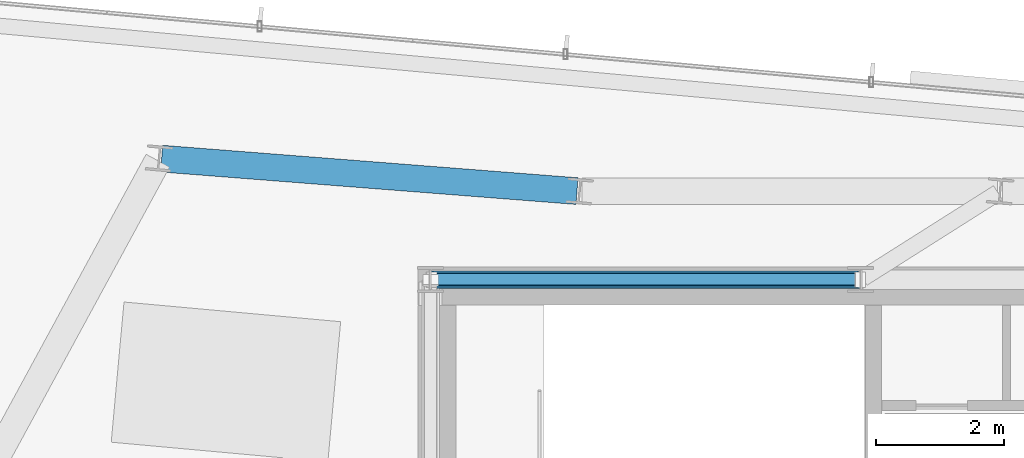
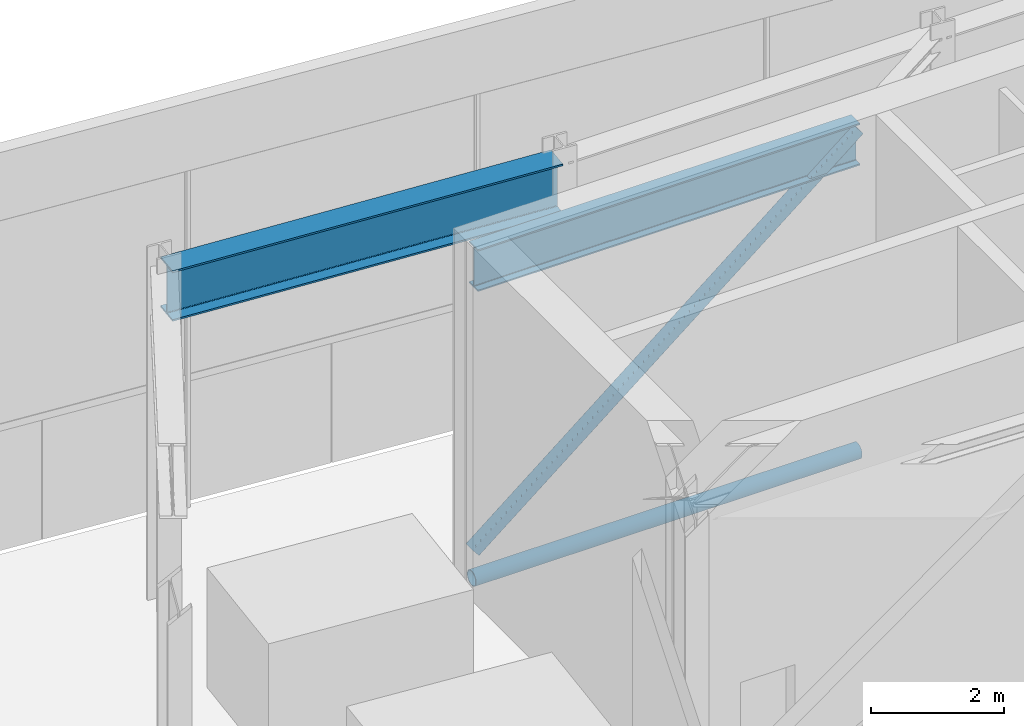
# One storey, part 5 of 18: 2 beams, 2 members.
"""IFC4 building model written with IfcOpenShell, lengths in metres."""

from ifc_helpers import new_model, si_unit, direction, frame, origin, origin_2d, place, context, subcontext, project, spatial, hollow_rectangle, hollow_circle, i_section, extrude, source, transform, mapped, material, material_profile, profile_set, type_object, type_shapes, element, save


model = new_model("IFC4")

# Units and contexts
model_context = context("Model", 3, precision=1e-05, world=origin(), true_north=direction((0.0, 1.0)))
body_context = subcontext(model_context, "Body", "Model", "MODEL_VIEW")
ifc_project = project(units=[si_unit("LENGTHUNIT", "METRE"), si_unit("AREAUNIT", "SQUARE_METRE"), si_unit("VOLUMEUNIT", "CUBIC_METRE"), si_unit("PLANEANGLEUNIT", "RADIAN"), si_unit("MASSUNIT", "GRAM", prefix="KILO")], contexts=[model_context])

# Site, building, storey
site_placement = place(None, origin())
site = spatial("IfcSite", under=ifc_project, at=site_placement, CompositionType="ELEMENT")
building_placement = place(site_placement, origin())
building = spatial("IfcBuilding", under=site, at=building_placement, Name="Astriad Promenade Condominiums", CompositionType="ELEMENT")
storey_placement = place(building_placement, frame((0.0, 0.0, 290.300048828125)))
storey = spatial("IfcBuildingStorey", under=building, at=storey_placement, Name="L80", CompositionType="ELEMENT", Elevation=290.300048828125)

# Beams
ifc_material_1 = material(Name="Steel ASTM A992 Grade 50", Category="steel")
ifc_material_profile_1 = material_profile(ifc_material_1, i_section(OverallWidth=0.267822265625, OverallDepth=0.76953125, WebThickness=0.015625, FlangeThickness=0.025390625, FilletRadius=0.021484375, at=origin_2d()), Name="W30X132")
ifc_profile_set_1 = profile_set([ifc_material_profile_1], Name="Steel ASTM A992 Grade 50")
beam_type_1 = type_object("IfcBeamType", Name="STEEL FLOOR GIRDER W30X132", PredefinedType="BEAM", material=ifc_profile_set_1)
shared_shape_1 = source(origin(), body_context, "Body", "SweptSolid", [
    extrude(i_section(OverallWidth=0.267822265625, OverallDepth=0.76953125, WebThickness=0.015625, FlangeThickness=0.025390625, FilletRadius=0.021484375, at=origin_2d()), origin(), (0.0, 0.0, 1.0), 6.64013671875),
])
type_shapes(beam_type_1, [shared_shape_1])
beam_1_placement = place(storey_placement, frame((26.43994140625, 24.0, 5.835205078125), z_axis=(1.0, 0.0, 0.0), x_axis=(0.0, 1.0, 0.0)))
element("IfcBeam", 1, at=beam_1_placement, inside=storey, type_object=beam_type_1, Name="Core Ring Beam CG-N1-L80", PredefinedType="BEAM", context=body_context, shape_type="MappedRepresentation", body=[
    mapped(shared_shape_1, transform((0.0, 0.0, 0.0), scale=1.0)),
])
ifc_material_profile_2 = material_profile(ifc_material_1, i_section(OverallWidth=0.418212890625, OverallDepth=0.926513671875, WebThickness=0.019287109375, FlangeThickness=0.031982421875, FilletRadius=0.024169921875, at=origin_2d()), Name="W36X231")
ifc_profile_set_2 = profile_set([ifc_material_profile_2], Name="Steel ASTM A992 Grade 50")
beam_type_2 = type_object("IfcBeamType", Name="STEEL CROWN RING BEAM W36X231", PredefinedType="BEAM", material=ifc_profile_set_2)
shared_shape_2 = source(origin(), body_context, "Body", "SweptSolid", [
    extrude(i_section(OverallWidth=0.418212890625, OverallDepth=0.926513671875, WebThickness=0.019287109375, FlangeThickness=0.031982421875, FilletRadius=0.024169921875, at=origin_2d()), origin(), (0.0, 0.0, 1.0), 6.5126953125),
])
type_shapes(beam_type_2, [shared_shape_2])
beam_2_placement = place(storey_placement, frame((28.6875, 25.383056640625, 5.756591796875), z_axis=(-0.996961368095, 0.077897564313, 0.0), x_axis=(-0.077897564313, -0.996961368095, 0.0)))
element("IfcBeam", 2, at=beam_2_placement, inside=storey, type_object=beam_type_2, Name="Perimeter Spandrel Beam SP-N1-L80", PredefinedType="BEAM", context=body_context, shape_type="MappedRepresentation", body=[
    mapped(shared_shape_2, transform((0.0, 0.0, 0.0), scale=1.0)),
])

# Members
ifc_material_2 = material(Name="Steel ASTM A500 Grade C", Category="steel")
ifc_material_profile_3 = material_profile(ifc_material_2, hollow_circle(Radius=0.136474609375, WallThickness=0.01171875, at=origin_2d()), Name="HSS273.1X12.7")
ifc_profile_set_3 = profile_set([ifc_material_profile_3], Name="Steel ASTM A500 Grade C")
member_type_1 = type_object("IfcMemberType", Name="HSS SKY GARDEN CANOPY STRUT D273", PredefinedType="STRUT", material=ifc_profile_set_3)
shared_shape_3 = source(origin(), body_context, "Body", "SweptSolid", [
    extrude(hollow_circle(Radius=0.136474609375, WallThickness=0.01171875, at=origin_2d()), origin(), (0.0, 0.0, 1.0), 6.7099609375),
])
type_shapes(member_type_1, [shared_shape_3])
member_1_placement = place(storey_placement, frame((26.405029296875, 24.0, 0.119873046875), z_axis=(1.0, 0.0, 0.0), x_axis=(0.0, 1.0, 0.0)))
element("IfcMember", 3, at=member_1_placement, inside=storey, type_object=member_type_1, Name="Crown Ring Interior Chord HCHORD-L80-01", PredefinedType="STRUT", context=body_context, shape_type="MappedRepresentation", body=[
    mapped(shared_shape_3, transform((0.0, 0.0, 0.0), scale=1.0)),
])
ifc_material_profile_4 = material_profile(ifc_material_2, hollow_rectangle(XDim=0.203125, YDim=0.203125, WallThickness=0.01171875, InnerFilletRadius=0.01171875, OuterFilletRadius=0.023681640625, at=origin_2d()), Name="HSS203X203X12.7")
ifc_profile_set_4 = profile_set([ifc_material_profile_4], Name="Steel ASTM A500 Grade C")
member_type_2 = type_object("IfcMemberType", Name="HSS CANOPY OUTRIGGER STRUT 203X203", PredefinedType="STRUT", material=ifc_profile_set_4)
shared_shape_4 = source(origin(), body_context, "Body", "SweptSolid", [
    extrude(hollow_rectangle(XDim=0.203125, YDim=0.203125, WallThickness=0.01171875, InnerFilletRadius=0.01171875, OuterFilletRadius=0.023681640625, at=origin_2d()), origin(), (0.0, 0.0, 1.0), 8.602294921875),
])
type_shapes(member_type_2, [shared_shape_4])
member_2_placement = place(storey_placement, frame((26.41943359375, 24.0, 0.6357421875), z_axis=(0.776681444214, 0.0, 0.629893589596), x_axis=(0.0, 1.0, 0.0)))
element("IfcMember", 4, at=member_2_placement, inside=storey, type_object=member_type_2, Name="Crown Ring Interior Brace HBRACE-L80-01", PredefinedType="STRUT", context=body_context, shape_type="MappedRepresentation", body=[
    mapped(shared_shape_4, transform((0.0, 0.0, 0.0), scale=1.0)),
])

save(model, "model.ifc")
